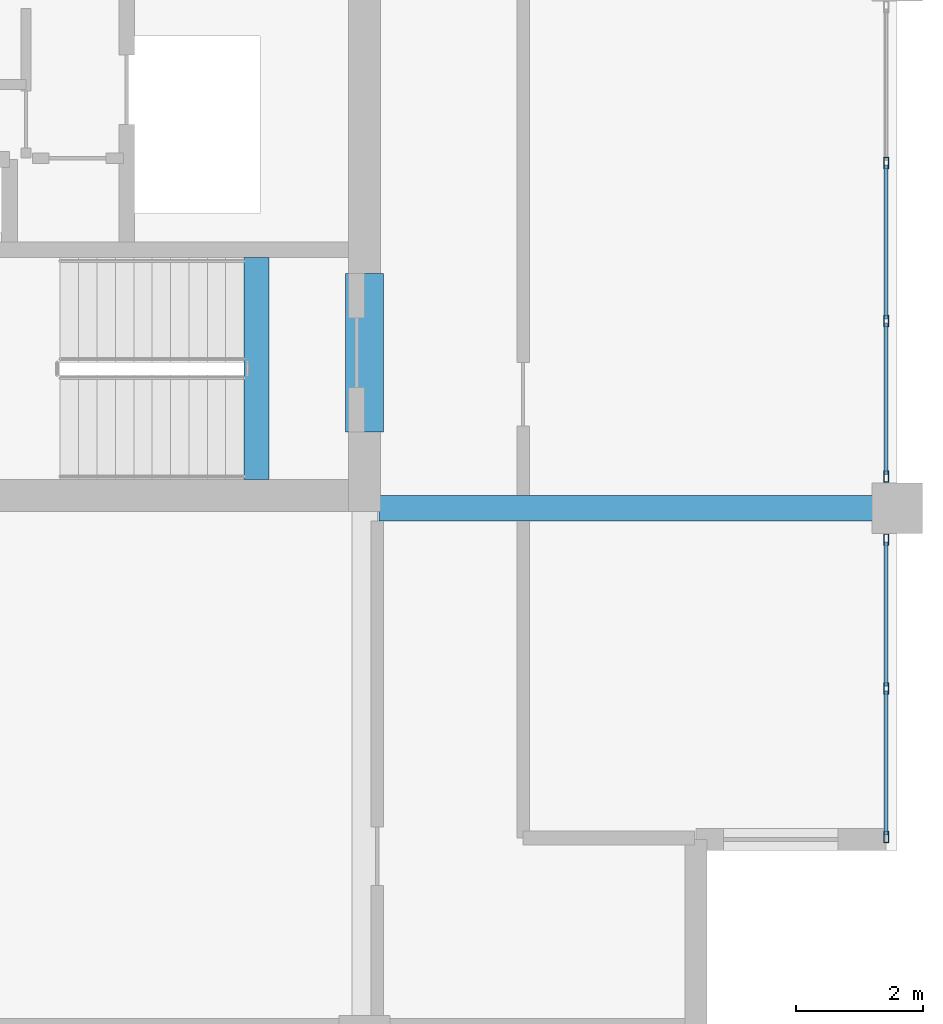
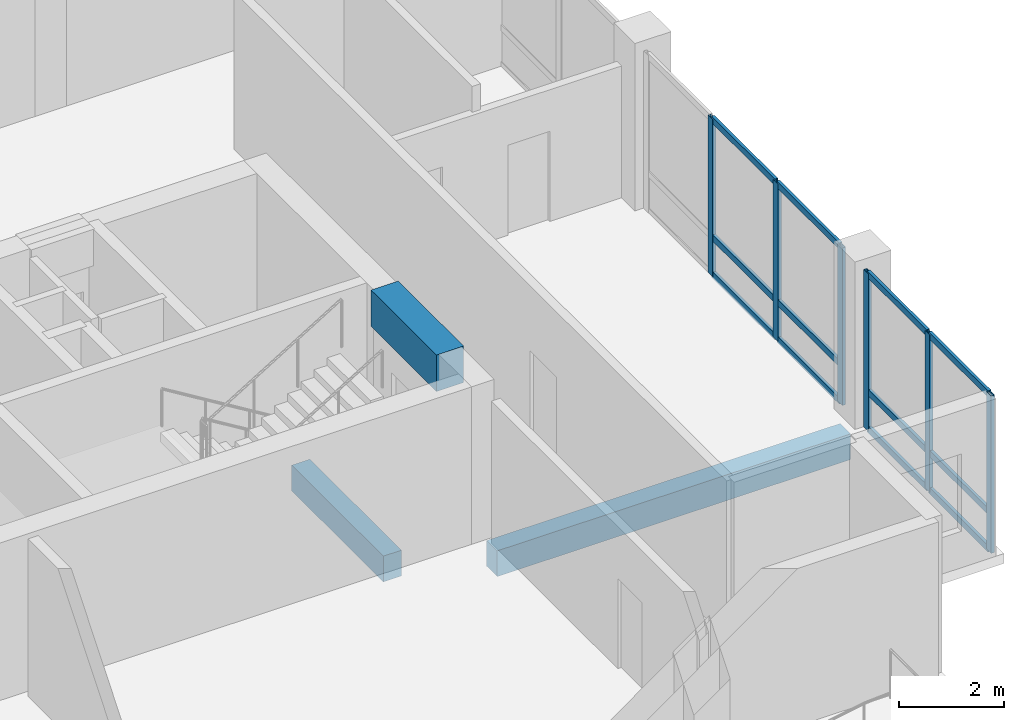
# One storey, part 2 of 15: 18 members, 3 beams, 2 elements without a shape of their own.
"""IFC4 building model written with IfcOpenShell, lengths in metres."""

from ifc_helpers import new_model, si_unit, direction, frame, origin, origin_2d, place, context, subcontext, project, spatial, rectangle, hollow_rectangle, extrude, material, layer, layer_set, material_profile, profile_set, type_object, element, aggregate, save


model = new_model("IFC4")

# Units and contexts
model_context = context("Model", 3, precision=1e-05, world=origin(), true_north=direction((0.0, 1.0)))
body_context = subcontext(model_context, "Body", "Model", "MODEL_VIEW")
ifc_project = project(units=[si_unit("LENGTHUNIT", "METRE"), si_unit("AREAUNIT", "SQUARE_METRE"), si_unit("VOLUMEUNIT", "CUBIC_METRE"), si_unit("PLANEANGLEUNIT", "RADIAN"), si_unit("MASSUNIT", "GRAM", prefix="KILO")], contexts=[model_context])

# Site, building, storey
site_placement = place(None, origin())
site = spatial("IfcSite", under=ifc_project, at=site_placement, CompositionType="ELEMENT")
building_placement = place(site_placement, origin())
building = spatial("IfcBuilding", under=site, at=building_placement, Name="Koriwani Terraces Tower", CompositionType="ELEMENT")
storey_placement = place(building_placement, frame((0.0, 0.0, 324.199951171875)))
storey = spatial("IfcBuildingStorey", under=building, at=storey_placement, Name="L80", CompositionType="ELEMENT", Elevation=324.199951171875)

# Beams
ifc_material_1 = material(Name="Concrete C50/60", Category="concrete")
ifc_material_profile_1 = material_profile(ifc_material_1, rectangle(XDim=0.60009765625, YDim=0.85009765625, at=origin_2d()), Name="Concrete C50/60", Category="LoadBearing")
ifc_profile_set_1 = profile_set([ifc_material_profile_1], Name="Concrete C50/60")
beam_type_1 = type_object("IfcBeamType", Name="BEAM_RC_COUPLING_600X850", PredefinedType="LINTEL", material=ifc_profile_set_1)
beam_1_placement = place(storey_placement, frame((58.800048828125, 18.0, 3.2451171875), z_axis=(0.0, 1.0, 0.0), x_axis=(-1.0, 0.0, 0.0)))
element("IfcBeam", 1, at=beam_1_placement, inside=storey, type_object=beam_type_1, Name="L80 Core Coupling Lintel Beam EE", PredefinedType="LINTEL", context=body_context, shape_type="SweptSolid", body=[
    extrude(rectangle(XDim=0.60009765625, YDim=0.85009765625, at=origin_2d()), origin(), (0.0, 0.0, 1.0), 2.5),
])
ifc_material_2 = material(Name="Concrete C40/50", Category="concrete")
ifc_material_profile_2 = material_profile(ifc_material_2, rectangle(XDim=0.39990234375, YDim=0.60009765625, at=origin_2d()), Name="Concrete C40/50", Category="LoadBearing")
ifc_profile_set_2 = profile_set([ifc_material_profile_2], Name="Concrete C40/50")
beam_type_2 = type_object("IfcBeamType", Name="BEAM_RC_GRID_400X600", PredefinedType="BEAM", material=ifc_profile_set_2)
beam_2_placement = place(storey_placement, frame((57.094970703125, 17.25, -0.300048828125), z_axis=(0.0, 1.0, 0.0), x_axis=(-1.0, 0.0, 0.0)))
element("IfcBeam", 2, at=beam_2_placement, inside=storey, type_object=beam_type_2, Name="L80 Stairwell Header Trimmer Beam ST-E2", PredefinedType="BEAM", context=body_context, shape_type="SweptSolid", body=[
    extrude(rectangle(XDim=0.39990234375, YDim=0.60009765625, at=origin_2d()), origin(), (0.0, 0.0, 1.0), 3.5),
])
beam_3_placement = place(storey_placement, frame((59.030029296875, 16.800048828125, -0.530029296875), z_axis=(1.0, 0.0, 0.0), x_axis=(0.0, 1.0, 0.0)))
element("IfcBeam", 3, at=beam_3_placement, inside=storey, type_object=beam_type_2, Name="L80 Grid Beam C (58.8-67.2m)", PredefinedType="BEAM", context=body_context, shape_type="SweptSolid", body=[
    extrude(rectangle(XDim=0.39990234375, YDim=0.60009765625, at=origin_2d()), origin(), (0.0, 0.0, 1.0), 7.7900390625),
])

# Curtain wall, members
ifc_material_3 = material(Name="Anodised Bronze Aluminium", Category="aluminium")
ifc_layer = layer(ifc_material_3, 0.18994140625, Name="Anodised Bronze Aluminium")
ifc_layer_set = layer_set([ifc_layer], Name="Anodised Bronze Aluminium")
curtain_wall_type = type_object("IfcCurtainWallType", Name="CW_PENTHOUSE_ZONE5", PredefinedType="NOTDEFINED", material=ifc_layer_set)
curtain_wall_1_placement = place(storey_placement, origin())
curtain_wall_1 = element("IfcCurtainWall", 4, at=curtain_wall_1_placement, inside=storey, type_object=curtain_wall_type, Name="L80 Unitised Curtain Wall (E_TIP) Bay 2", PredefinedType="NOTDEFINED")
ifc_material_profile_3 = material_profile(ifc_material_3, hollow_rectangle(XDim=0.074951171875, YDim=0.179931640625, WallThickness=0.006103515625, at=origin_2d()), Name="Anodised Bronze Aluminium", Category="LoadBearing")
ifc_profile_set_3 = profile_set([ifc_material_profile_3], Name="Anodised Bronze Aluminium")
member_type_1 = type_object("IfcMemberType", Name="CW_MULLION_180X75", PredefinedType="MULLION", material=ifc_profile_set_3)
member_1_placement = place(storey_placement, frame((67.02490234375, 22.24658203125, 0.0), z_axis=(0.0, 0.0, 1.0), x_axis=(1.0, 0.0, 0.0)))
member_1 = element("IfcMember", 5, at=member_1_placement, type_object=member_type_1, Name="CW-Z5 mullion 2", PredefinedType="MULLION", context=body_context, shape_type="SweptSolid", body=[
    extrude(hollow_rectangle(XDim=0.074951171875, YDim=0.179931640625, WallThickness=0.006103515625, at=origin_2d()), origin(), (0.0, 0.0, 1.0), 3.670166015625),
])
member_2_placement = place(storey_placement, frame((67.02490234375, 19.75341796875, 0.0), z_axis=(0.0, 0.0, 1.0), x_axis=(1.0, 0.0, 0.0)))
member_2 = element("IfcMember", 6, at=member_2_placement, type_object=member_type_1, Name="CW-Z5 mullion 3", PredefinedType="MULLION", context=body_context, shape_type="SweptSolid", body=[
    extrude(hollow_rectangle(XDim=0.074951171875, YDim=0.179931640625, WallThickness=0.006103515625, at=origin_2d()), origin(), (0.0, 0.0, 1.0), 3.670166015625),
])
member_3_placement = place(storey_placement, frame((67.02490234375, 17.297607421875, 0.0), z_axis=(0.0, 0.0, 1.0), x_axis=(1.0, 0.0, 0.0)))
member_3 = element("IfcMember", 7, at=member_3_placement, type_object=member_type_1, Name="CW-Z5 mullion 4", PredefinedType="MULLION", context=body_context, shape_type="SweptSolid", body=[
    extrude(hollow_rectangle(XDim=0.074951171875, YDim=0.179931640625, WallThickness=0.006103515625, at=origin_2d()), origin(), (0.0, 0.0, 1.0), 3.670166015625),
])

curtain_wall_2_placement = place(storey_placement, origin())
curtain_wall_2 = element("IfcCurtainWall", 8, at=curtain_wall_2_placement, inside=storey, type_object=curtain_wall_type, Name="L80 Unitised Curtain Wall (E_TIP) Bay 3", PredefinedType="NOTDEFINED")
member_4_placement = place(storey_placement, frame((67.02490234375, 16.302490234375, 0.0), z_axis=(0.0, 0.0, 1.0), x_axis=(1.0, 0.0, 0.0)))
member_4 = element("IfcMember", 9, at=member_4_placement, type_object=member_type_1, Name="CW-Z5 mullion 1", PredefinedType="MULLION", context=body_context, shape_type="SweptSolid", body=[
    extrude(hollow_rectangle(XDim=0.074951171875, YDim=0.179931640625, WallThickness=0.006103515625, at=origin_2d()), origin(), (0.0, 0.0, 1.0), 3.670166015625),
])
member_5_placement = place(storey_placement, frame((67.02490234375, 13.95751953125, 0.0), z_axis=(0.0, 0.0, 1.0), x_axis=(1.0, 0.0, 0.0)))
member_5 = element("IfcMember", 10, at=member_5_placement, type_object=member_type_1, Name="CW-Z5 mullion 2", PredefinedType="MULLION", context=body_context, shape_type="SweptSolid", body=[
    extrude(hollow_rectangle(XDim=0.074951171875, YDim=0.179931640625, WallThickness=0.006103515625, at=origin_2d()), origin(), (0.0, 0.0, 1.0), 3.670166015625),
])
member_6_placement = place(storey_placement, frame((67.02490234375, 11.612548828125, 0.0), z_axis=(0.0, 0.0, 1.0), x_axis=(1.0, 0.0, 0.0)))
member_6 = element("IfcMember", 11, at=member_6_placement, type_object=member_type_1, Name="CW-Z5 mullion 3", PredefinedType="MULLION", context=body_context, shape_type="SweptSolid", body=[
    extrude(hollow_rectangle(XDim=0.074951171875, YDim=0.179931640625, WallThickness=0.006103515625, at=origin_2d()), origin(), (0.0, 0.0, 1.0), 3.670166015625),
])

# Member
ifc_material_profile_4 = material_profile(ifc_material_3, hollow_rectangle(XDim=0.06494140625, YDim=0.14990234375, WallThickness=0.0048828125, at=origin_2d()), Name="Anodised Bronze Aluminium", Category="LoadBearing")
ifc_profile_set_4 = profile_set([ifc_material_profile_4], Name="Anodised Bronze Aluminium")
member_type_2 = type_object("IfcMemberType", Name="CW_TRANSOM_150X65", PredefinedType="USERDEFINED", material=ifc_profile_set_4)
member_7_placement = place(storey_placement, frame((67.02490234375, 22.209228515625, 0.032470703125), z_axis=(0.0, -1.0, 0.0), x_axis=(1.0, 0.0, 0.0)))
member_7 = element("IfcMember", 12, at=member_7_placement, type_object=member_type_2, Name="CW-Z5 transom 2.1", ObjectType="TRANSOM", PredefinedType="USERDEFINED", context=body_context, shape_type="SweptSolid", body=[
    extrude(hollow_rectangle(XDim=0.06494140625, YDim=0.14990234375, WallThickness=0.0048828125, at=origin_2d()), origin(), (0.0, 0.0, 1.0), 2.41845703125),
])

member_8_placement = place(storey_placement, frame((67.02490234375, 22.209228515625, 0.900146484375), z_axis=(0.0, -1.0, 0.0), x_axis=(1.0, 0.0, 0.0)))
member_8 = element("IfcMember", 13, at=member_8_placement, type_object=member_type_2, Name="CW-Z5 transom 2.2", ObjectType="TRANSOM", PredefinedType="USERDEFINED", context=body_context, shape_type="SweptSolid", body=[
    extrude(hollow_rectangle(XDim=0.06494140625, YDim=0.14990234375, WallThickness=0.0048828125, at=origin_2d()), origin(), (0.0, 0.0, 1.0), 2.41845703125),
])

member_9_placement = place(storey_placement, frame((67.02490234375, 22.209228515625, 3.637451171875), z_axis=(0.0, -1.0, 0.0), x_axis=(1.0, 0.0, 0.0)))
member_9 = element("IfcMember", 14, at=member_9_placement, type_object=member_type_2, Name="CW-Z5 transom 2.3", ObjectType="TRANSOM", PredefinedType="USERDEFINED", context=body_context, shape_type="SweptSolid", body=[
    extrude(hollow_rectangle(XDim=0.06494140625, YDim=0.14990234375, WallThickness=0.0048828125, at=origin_2d()), origin(), (0.0, 0.0, 1.0), 2.41845703125),
])

member_10_placement = place(storey_placement, frame((67.02490234375, 19.7158203125, 0.032470703125), z_axis=(0.0, -1.0, 0.0), x_axis=(1.0, 0.0, 0.0)))
member_10 = element("IfcMember", 15, at=member_10_placement, type_object=member_type_2, Name="CW-Z5 transom 3.1", ObjectType="TRANSOM", PredefinedType="USERDEFINED", context=body_context, shape_type="SweptSolid", body=[
    extrude(hollow_rectangle(XDim=0.06494140625, YDim=0.14990234375, WallThickness=0.0048828125, at=origin_2d()), origin(), (0.0, 0.0, 1.0), 2.380859375),
])

member_11_placement = place(storey_placement, frame((67.02490234375, 19.7158203125, 0.900146484375), z_axis=(0.0, -1.0, 0.0), x_axis=(1.0, 0.0, 0.0)))
member_11 = element("IfcMember", 16, at=member_11_placement, type_object=member_type_2, Name="CW-Z5 transom 3.2", ObjectType="TRANSOM", PredefinedType="USERDEFINED", context=body_context, shape_type="SweptSolid", body=[
    extrude(hollow_rectangle(XDim=0.06494140625, YDim=0.14990234375, WallThickness=0.0048828125, at=origin_2d()), origin(), (0.0, 0.0, 1.0), 2.380859375),
])

member_12_placement = place(storey_placement, frame((67.02490234375, 19.7158203125, 3.637451171875), z_axis=(0.0, -1.0, 0.0), x_axis=(1.0, 0.0, 0.0)))
member_12 = element("IfcMember", 17, at=member_12_placement, type_object=member_type_2, Name="CW-Z5 transom 3.3", ObjectType="TRANSOM", PredefinedType="USERDEFINED", context=body_context, shape_type="SweptSolid", body=[
    extrude(hollow_rectangle(XDim=0.06494140625, YDim=0.14990234375, WallThickness=0.0048828125, at=origin_2d()), origin(), (0.0, 0.0, 1.0), 2.380859375),
])

aggregate(curtain_wall_1, [member_1, member_2, member_3, member_7, member_8, member_9, member_10, member_11, member_12])

member_13_placement = place(storey_placement, frame((67.02490234375, 16.264892578125, 0.032470703125), z_axis=(0.0, -1.0, 0.0), x_axis=(1.0, 0.0, 0.0)))
member_13 = element("IfcMember", 18, at=member_13_placement, type_object=member_type_2, Name="CW-Z5 transom 1.1", ObjectType="TRANSOM", PredefinedType="USERDEFINED", context=body_context, shape_type="SweptSolid", body=[
    extrude(hollow_rectangle(XDim=0.06494140625, YDim=0.14990234375, WallThickness=0.0048828125, at=origin_2d()), origin(), (0.0, 0.0, 1.0), 2.269775390625),
])

member_14_placement = place(storey_placement, frame((67.02490234375, 16.264892578125, 0.900146484375), z_axis=(0.0, -1.0, 0.0), x_axis=(1.0, 0.0, 0.0)))
member_14 = element("IfcMember", 19, at=member_14_placement, type_object=member_type_2, Name="CW-Z5 transom 1.2", ObjectType="TRANSOM", PredefinedType="USERDEFINED", context=body_context, shape_type="SweptSolid", body=[
    extrude(hollow_rectangle(XDim=0.06494140625, YDim=0.14990234375, WallThickness=0.0048828125, at=origin_2d()), origin(), (0.0, 0.0, 1.0), 2.269775390625),
])

member_15_placement = place(storey_placement, frame((67.02490234375, 16.264892578125, 3.637451171875), z_axis=(0.0, -1.0, 0.0), x_axis=(1.0, 0.0, 0.0)))
member_15 = element("IfcMember", 20, at=member_15_placement, type_object=member_type_2, Name="CW-Z5 transom 1.3", ObjectType="TRANSOM", PredefinedType="USERDEFINED", context=body_context, shape_type="SweptSolid", body=[
    extrude(hollow_rectangle(XDim=0.06494140625, YDim=0.14990234375, WallThickness=0.0048828125, at=origin_2d()), origin(), (0.0, 0.0, 1.0), 2.269775390625),
])

member_16_placement = place(storey_placement, frame((67.02490234375, 13.919921875, 0.032470703125), z_axis=(0.0, -1.0, 0.0), x_axis=(1.0, 0.0, 0.0)))
member_16 = element("IfcMember", 21, at=member_16_placement, type_object=member_type_2, Name="CW-Z5 transom 2.1", ObjectType="TRANSOM", PredefinedType="USERDEFINED", context=body_context, shape_type="SweptSolid", body=[
    extrude(hollow_rectangle(XDim=0.06494140625, YDim=0.14990234375, WallThickness=0.0048828125, at=origin_2d()), origin(), (0.0, 0.0, 1.0), 2.27001953125),
])

member_17_placement = place(storey_placement, frame((67.02490234375, 13.919921875, 0.900146484375), z_axis=(0.0, -1.0, 0.0), x_axis=(1.0, 0.0, 0.0)))
member_17 = element("IfcMember", 22, at=member_17_placement, type_object=member_type_2, Name="CW-Z5 transom 2.2", ObjectType="TRANSOM", PredefinedType="USERDEFINED", context=body_context, shape_type="SweptSolid", body=[
    extrude(hollow_rectangle(XDim=0.06494140625, YDim=0.14990234375, WallThickness=0.0048828125, at=origin_2d()), origin(), (0.0, 0.0, 1.0), 2.27001953125),
])

member_18_placement = place(storey_placement, frame((67.02490234375, 13.919921875, 3.637451171875), z_axis=(0.0, -1.0, 0.0), x_axis=(1.0, 0.0, 0.0)))
member_18 = element("IfcMember", 23, at=member_18_placement, type_object=member_type_2, Name="CW-Z5 transom 2.3", ObjectType="TRANSOM", PredefinedType="USERDEFINED", context=body_context, shape_type="SweptSolid", body=[
    extrude(hollow_rectangle(XDim=0.06494140625, YDim=0.14990234375, WallThickness=0.0048828125, at=origin_2d()), origin(), (0.0, 0.0, 1.0), 2.27001953125),
])

aggregate(curtain_wall_2, [member_4, member_5, member_6, member_13, member_14, member_15, member_16, member_17, member_18])

save(model, "model.ifc")
